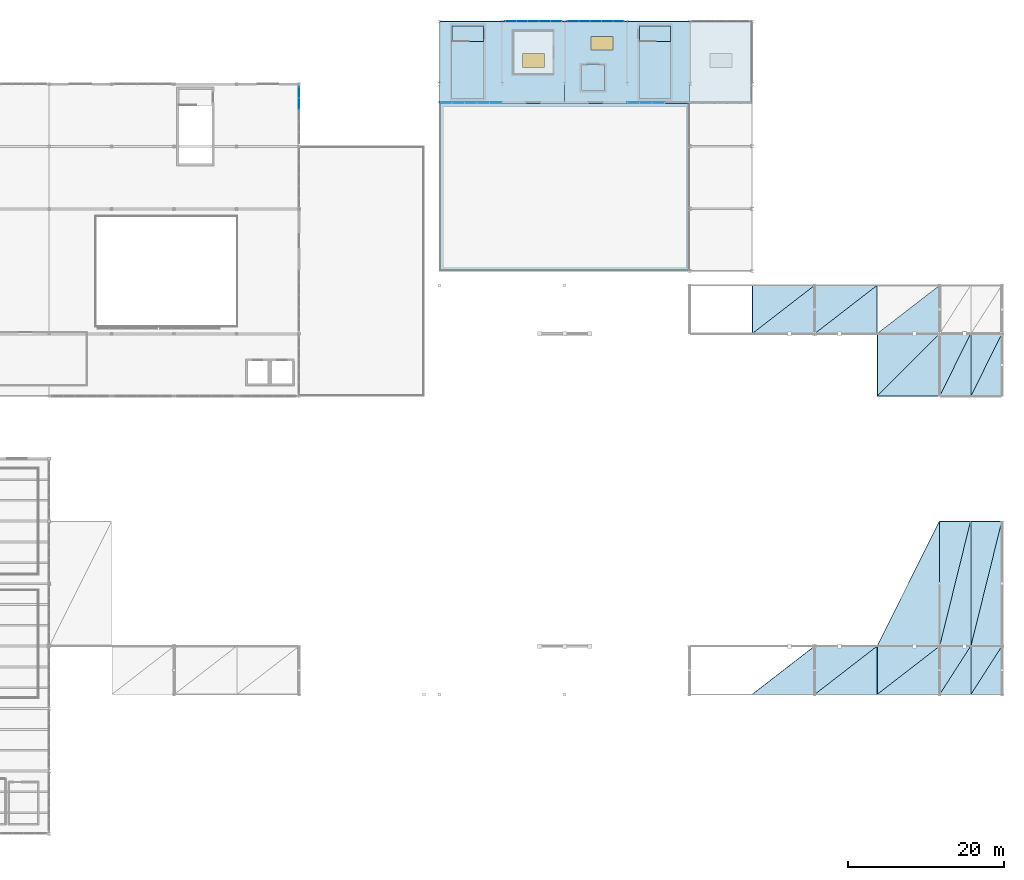
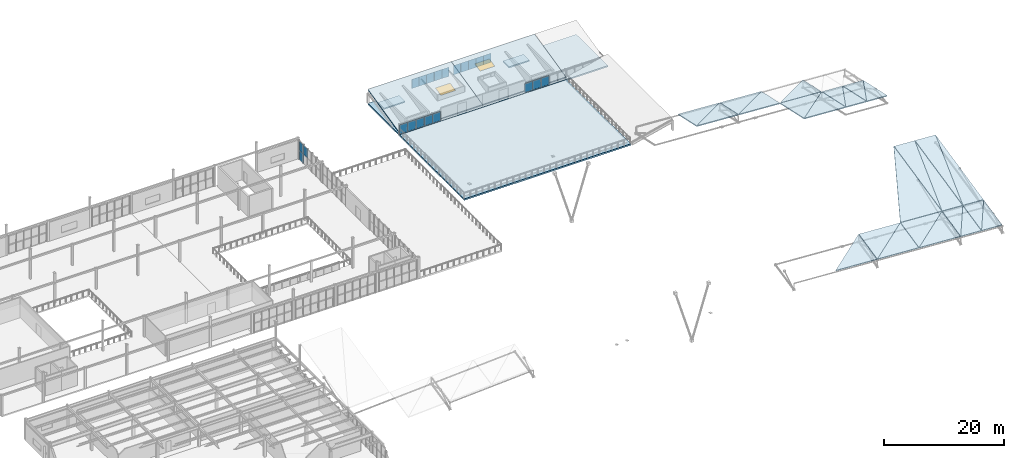
# One storey, part 50 of 83: 31 slabs, 21 plates, 2 windows, 2 openings, 5 elements without a shape of their own.
"""IFC4 building model written with IfcOpenShell, lengths in metres."""

from ifc_helpers import new_model, si_unit, direction, frame, origin, origin_2d, place, context, subcontext, project, spatial, polyline, rectangle, outline, extrude, material, layer, layer_set, type_object, element, fill, aggregate, save


model = new_model("IFC4")

# Units and contexts
model_context = context("Model", 3, precision=1e-05, world=origin(), true_north=direction((0.0, 1.0)))
body_context = subcontext(model_context, "Body", "Model", "MODEL_VIEW")
ifc_project = project(units=[si_unit("LENGTHUNIT", "METRE"), si_unit("AREAUNIT", "SQUARE_METRE"), si_unit("VOLUMEUNIT", "CUBIC_METRE"), si_unit("PLANEANGLEUNIT", "RADIAN"), si_unit("MASSUNIT", "GRAM", prefix="KILO")], contexts=[model_context])

# Site, building, storey
site_placement = place(None, origin())
site = spatial("IfcSite", under=ifc_project, at=site_placement, CompositionType="ELEMENT")
building_placement = place(site_placement, origin())
building = spatial("IfcBuilding", under=site, at=building_placement, Name="Drelvath Fold Interchange", CompositionType="ELEMENT")
storey_placement = place(building_placement, frame((0.0, 0.0, 11.199951171875)))
storey = spatial("IfcBuildingStorey", under=building, at=storey_placement, Name="L02", CompositionType="ELEMENT", Elevation=11.199951171875)

# Curtain wall, plates
ifc_material_1 = material(Name="Anodized Aluminium 6063-T6", Category="aluminium")
curtain_wall_type_1 = type_object("IfcCurtainWallType", Name="CW-CON-440", PredefinedType="USERDEFINED", material=ifc_material_1)
curtain_wall_1_placement = place(storey_placement, origin())
curtain_wall_1 = element("IfcCurtainWall", 1, at=curtain_wall_1_placement, inside=storey, type_object=curtain_wall_type_1, Name="Curtain wall CW-V1E-L02-Y91", ObjectType="UNITISED CURTAIN WALL", PredefinedType="USERDEFINED")
ifc_material_2 = material(Name="Low-Iron Insulated Laminated Glass", Category="glass")
ifc_layer_1 = layer(ifc_material_2, 0.05810546875, Name="Low-Iron Insulated Laminated Glass")
ifc_layer_set_1 = layer_set([ifc_layer_1], Name="Low-Iron Insulated Laminated Glass")
plate_type_1 = type_object("IfcPlateType", Name="CP-CON-B", PredefinedType="CURTAIN_PANEL", material=ifc_layer_set_1)
plate_1_placement = place(storey_placement, frame((84.0, 96.4560546875, 1.909912109375), z_axis=(0.0, 0.0, 1.0), x_axis=(0.0, 1.0, 0.0)))
plate_1 = element("IfcPlate", 2, at=plate_1_placement, type_object=plate_type_1, Name="CW-V1E-L02-Y91 glazed panel 3-1", PredefinedType="CURTAIN_PANEL", context=body_context, shape_type="SweptSolid", body=[
    extrude(rectangle(XDim=1.43603515625, YDim=0.05810546875, at=origin_2d()), origin(), (0.0, 0.0, 1.0), 1.85009765625),
])
plate_2_placement = place(storey_placement, frame((84.0, 97.89208984375, 0.0400390625), z_axis=(0.0, 0.0, 1.0), x_axis=(0.0, 1.0, 0.0)))
plate_2 = element("IfcPlate", 3, at=plate_2_placement, type_object=plate_type_1, Name="CW-V1E-L02-Y91 glazed panel 4-0", PredefinedType="CURTAIN_PANEL", context=body_context, shape_type="SweptSolid", body=[
    extrude(rectangle(XDim=1.39599609375, YDim=0.05810546875, at=origin_2d()), origin(), (0.0, 0.0, 1.0), 1.85009765625),
])
plate_3_placement = place(storey_placement, frame((84.0, 97.89208984375, 1.909912109375), z_axis=(0.0, 0.0, 1.0), x_axis=(0.0, 1.0, 0.0)))
plate_3 = element("IfcPlate", 4, at=plate_3_placement, type_object=plate_type_1, Name="CW-V1E-L02-Y91 glazed panel 4-1", PredefinedType="CURTAIN_PANEL", context=body_context, shape_type="SweptSolid", body=[
    extrude(rectangle(XDim=1.39599609375, YDim=0.05810546875, at=origin_2d()), origin(), (0.0, 0.0, 1.0), 1.85009765625),
])
aggregate(curtain_wall_1, [plate_1, plate_2, plate_3])

curtain_wall_type_2 = type_object("IfcCurtainWallType", Name="CW-CYC-SAW", PredefinedType="USERDEFINED", material=ifc_material_1)
curtain_wall_2_placement = place(storey_placement, origin())
curtain_wall_2 = element("IfcCurtainWall", 5, at=curtain_wall_2_placement, inside=storey, type_object=curtain_wall_type_2, Name="Curtain wall CW-CYC-L02-S102", ObjectType="UNITISED CURTAIN WALL", PredefinedType="USERDEFINED")
ifc_layer_2 = layer(ifc_material_2, 0.028076171875, Name="Low-Iron Insulated Laminated Glass")
ifc_layer_set_2 = layer_set([ifc_layer_2], Name="Low-Iron Insulated Laminated Glass")
plate_type_2 = type_object("IfcPlateType", Name="CP-CYC-A", PredefinedType="CURTAIN_PANEL", material=ifc_layer_set_2)
plate_4_placement = place(storey_placement, frame((102.820068359375, 96.60009765625, 0.0400390625), z_axis=(0.0, 0.0, 1.0), x_axis=(1.0, 0.0, 0.0)))
plate_4 = element("IfcPlate", 6, at=plate_4_placement, type_object=plate_type_2, Name="CW-CYC-L02-S102 glazed panel 0-0", PredefinedType="CURTAIN_PANEL", context=body_context, shape_type="SweptSolid", body=[
    extrude(rectangle(XDim=1.5400390625, YDim=0.028076171875, at=origin_2d()), origin(), (0.0, 0.0, 1.0), 1.8701171875),
])
plate_5_placement = place(storey_placement, frame((104.39990234375, 96.60009765625, 0.0400390625), z_axis=(0.0, 0.0, 1.0), x_axis=(1.0, 0.0, 0.0)))
plate_5 = element("IfcPlate", 7, at=plate_5_placement, type_object=plate_type_2, Name="CW-CYC-L02-S102 glazed panel 1-0", PredefinedType="CURTAIN_PANEL", context=body_context, shape_type="SweptSolid", body=[
    extrude(rectangle(XDim=1.580078125, YDim=0.028076171875, at=origin_2d()), origin(), (0.0, 0.0, 1.0), 1.8701171875),
])
plate_6_placement = place(storey_placement, frame((106.0, 96.60009765625, 0.0400390625), z_axis=(0.0, 0.0, 1.0), x_axis=(1.0, 0.0, 0.0)))
plate_6 = element("IfcPlate", 8, at=plate_6_placement, type_object=plate_type_2, Name="CW-CYC-L02-S102 glazed panel 2-0", PredefinedType="CURTAIN_PANEL", context=body_context, shape_type="SweptSolid", body=[
    extrude(rectangle(XDim=1.580078125, YDim=0.028076171875, at=origin_2d()), origin(), (0.0, 0.0, 1.0), 1.8701171875),
])
plate_7_placement = place(storey_placement, frame((107.60009765625, 96.60009765625, 0.0400390625), z_axis=(0.0, 0.0, 1.0), x_axis=(1.0, 0.0, 0.0)))
plate_7 = element("IfcPlate", 9, at=plate_7_placement, type_object=plate_type_2, Name="CW-CYC-L02-S102 glazed panel 3-0", PredefinedType="CURTAIN_PANEL", context=body_context, shape_type="SweptSolid", body=[
    extrude(rectangle(XDim=1.580078125, YDim=0.028076171875, at=origin_2d()), origin(), (0.0, 0.0, 1.0), 1.8701171875),
])
plate_8_placement = place(storey_placement, frame((109.179931640625, 96.60009765625, 0.0400390625), z_axis=(0.0, 0.0, 1.0), x_axis=(1.0, 0.0, 0.0)))
plate_8 = element("IfcPlate", 10, at=plate_8_placement, type_object=plate_type_2, Name="CW-CYC-L02-S102 glazed panel 4-0", PredefinedType="CURTAIN_PANEL", context=body_context, shape_type="SweptSolid", body=[
    extrude(rectangle(XDim=1.5400390625, YDim=0.028076171875, at=origin_2d()), origin(), (0.0, 0.0, 1.0), 1.8701171875),
])
aggregate(curtain_wall_2, [plate_4, plate_5, plate_6, plate_7, plate_8])

curtain_wall_3_placement = place(storey_placement, origin())
curtain_wall_3 = element("IfcCurtainWall", 11, at=curtain_wall_3_placement, inside=storey, type_object=curtain_wall_type_2, Name="Curtain wall CW-CYC-L02-S126", ObjectType="UNITISED CURTAIN WALL", PredefinedType="USERDEFINED")
plate_9_placement = place(storey_placement, frame((126.820068359375, 96.60009765625, 0.0400390625), z_axis=(0.0, 0.0, 1.0), x_axis=(1.0, 0.0, 0.0)))
plate_9 = element("IfcPlate", 12, at=plate_9_placement, type_object=plate_type_2, Name="CW-CYC-L02-S126 glazed panel 0-0", PredefinedType="CURTAIN_PANEL", context=body_context, shape_type="SweptSolid", body=[
    extrude(rectangle(XDim=1.5400390625, YDim=0.028076171875, at=origin_2d()), origin(), (0.0, 0.0, 1.0), 1.8701171875),
])
plate_10_placement = place(storey_placement, frame((128.39990234375, 96.60009765625, 0.0400390625), z_axis=(0.0, 0.0, 1.0), x_axis=(1.0, 0.0, 0.0)))
plate_10 = element("IfcPlate", 13, at=plate_10_placement, type_object=plate_type_2, Name="CW-CYC-L02-S126 glazed panel 1-0", PredefinedType="CURTAIN_PANEL", context=body_context, shape_type="SweptSolid", body=[
    extrude(rectangle(XDim=1.580078125, YDim=0.028076171875, at=origin_2d()), origin(), (0.0, 0.0, 1.0), 1.8701171875),
])
plate_11_placement = place(storey_placement, frame((130.0, 96.60009765625, 0.0400390625), z_axis=(0.0, 0.0, 1.0), x_axis=(1.0, 0.0, 0.0)))
plate_11 = element("IfcPlate", 14, at=plate_11_placement, type_object=plate_type_2, Name="CW-CYC-L02-S126 glazed panel 2-0", PredefinedType="CURTAIN_PANEL", context=body_context, shape_type="SweptSolid", body=[
    extrude(rectangle(XDim=1.580078125, YDim=0.028076171875, at=origin_2d()), origin(), (0.0, 0.0, 1.0), 1.8701171875),
])
aggregate(curtain_wall_3, [plate_9, plate_10, plate_11])

curtain_wall_4_placement = place(storey_placement, origin())
curtain_wall_4 = element("IfcCurtainWall", 15, at=curtain_wall_4_placement, inside=storey, type_object=curtain_wall_type_2, Name="Curtain wall CW-CYC-L02-N110", ObjectType="UNITISED CURTAIN WALL", PredefinedType="USERDEFINED")
plate_12_placement = place(storey_placement, frame((111.10791015625, 107.0, 0.0400390625), z_axis=(0.0, 0.0, 1.0), x_axis=(1.0, 0.0, 0.0)))
plate_12 = element("IfcPlate", 16, at=plate_12_placement, type_object=plate_type_2, Name="CW-CYC-L02-N110 glazed panel 0-0", PredefinedType="CURTAIN_PANEL", context=body_context, shape_type="SweptSolid", body=[
    extrude(rectangle(XDim=1.39599609375, YDim=0.028076171875, at=origin_2d()), origin(), (0.0, 0.0, 1.0), 1.8701171875),
])
plate_13_placement = place(storey_placement, frame((112.5439453125, 107.0, 0.0400390625), z_axis=(0.0, 0.0, 1.0), x_axis=(1.0, 0.0, 0.0)))
plate_13 = element("IfcPlate", 17, at=plate_13_placement, type_object=plate_type_2, Name="CW-CYC-L02-N110 glazed panel 1-0", PredefinedType="CURTAIN_PANEL", context=body_context, shape_type="SweptSolid", body=[
    extrude(rectangle(XDim=1.43603515625, YDim=0.028076171875, at=origin_2d()), origin(), (0.0, 0.0, 1.0), 1.8701171875),
])
plate_14_placement = place(storey_placement, frame((114.0, 107.0, 0.0400390625), z_axis=(0.0, 0.0, 1.0), x_axis=(1.0, 0.0, 0.0)))
plate_14 = element("IfcPlate", 18, at=plate_14_placement, type_object=plate_type_2, Name="CW-CYC-L02-N110 glazed panel 2-0", PredefinedType="CURTAIN_PANEL", context=body_context, shape_type="SweptSolid", body=[
    extrude(rectangle(XDim=1.43603515625, YDim=0.028076171875, at=origin_2d()), origin(), (0.0, 0.0, 1.0), 1.8701171875),
])
plate_15_placement = place(storey_placement, frame((115.4560546875, 107.0, 0.0400390625), z_axis=(0.0, 0.0, 1.0), x_axis=(1.0, 0.0, 0.0)))
plate_15 = element("IfcPlate", 19, at=plate_15_placement, type_object=plate_type_2, Name="CW-CYC-L02-N110 glazed panel 3-0", PredefinedType="CURTAIN_PANEL", context=body_context, shape_type="SweptSolid", body=[
    extrude(rectangle(XDim=1.43603515625, YDim=0.028076171875, at=origin_2d()), origin(), (0.0, 0.0, 1.0), 1.8701171875),
])
plate_16_placement = place(storey_placement, frame((116.89208984375, 107.0, 0.0400390625), z_axis=(0.0, 0.0, 1.0), x_axis=(1.0, 0.0, 0.0)))
plate_16 = element("IfcPlate", 20, at=plate_16_placement, type_object=plate_type_2, Name="CW-CYC-L02-N110 glazed panel 4-0", PredefinedType="CURTAIN_PANEL", context=body_context, shape_type="SweptSolid", body=[
    extrude(rectangle(XDim=1.39599609375, YDim=0.028076171875, at=origin_2d()), origin(), (0.0, 0.0, 1.0), 1.8701171875),
])
aggregate(curtain_wall_4, [plate_12, plate_13, plate_14, plate_15, plate_16])

curtain_wall_5_placement = place(storey_placement, origin())
curtain_wall_5 = element("IfcCurtainWall", 21, at=curtain_wall_5_placement, inside=storey, type_object=curtain_wall_type_2, Name="Curtain wall CW-CYC-L02-N118", ObjectType="UNITISED CURTAIN WALL", PredefinedType="USERDEFINED")
plate_17_placement = place(storey_placement, frame((119.10791015625, 107.0, 0.0400390625), z_axis=(0.0, 0.0, 1.0), x_axis=(1.0, 0.0, 0.0)))
plate_17 = element("IfcPlate", 22, at=plate_17_placement, type_object=plate_type_2, Name="CW-CYC-L02-N118 glazed panel 0-0", PredefinedType="CURTAIN_PANEL", context=body_context, shape_type="SweptSolid", body=[
    extrude(rectangle(XDim=1.39599609375, YDim=0.028076171875, at=origin_2d()), origin(), (0.0, 0.0, 1.0), 1.8701171875),
])
plate_18_placement = place(storey_placement, frame((120.5439453125, 107.0, 0.0400390625), z_axis=(0.0, 0.0, 1.0), x_axis=(1.0, 0.0, 0.0)))
plate_18 = element("IfcPlate", 23, at=plate_18_placement, type_object=plate_type_2, Name="CW-CYC-L02-N118 glazed panel 1-0", PredefinedType="CURTAIN_PANEL", context=body_context, shape_type="SweptSolid", body=[
    extrude(rectangle(XDim=1.43603515625, YDim=0.028076171875, at=origin_2d()), origin(), (0.0, 0.0, 1.0), 1.8701171875),
])
plate_19_placement = place(storey_placement, frame((122.0, 107.0, 0.0400390625), z_axis=(0.0, 0.0, 1.0), x_axis=(1.0, 0.0, 0.0)))
plate_19 = element("IfcPlate", 24, at=plate_19_placement, type_object=plate_type_2, Name="CW-CYC-L02-N118 glazed panel 2-0", PredefinedType="CURTAIN_PANEL", context=body_context, shape_type="SweptSolid", body=[
    extrude(rectangle(XDim=1.43603515625, YDim=0.028076171875, at=origin_2d()), origin(), (0.0, 0.0, 1.0), 1.8701171875),
])
plate_20_placement = place(storey_placement, frame((123.4560546875, 107.0, 0.0400390625), z_axis=(0.0, 0.0, 1.0), x_axis=(1.0, 0.0, 0.0)))
plate_20 = element("IfcPlate", 25, at=plate_20_placement, type_object=plate_type_2, Name="CW-CYC-L02-N118 glazed panel 3-0", PredefinedType="CURTAIN_PANEL", context=body_context, shape_type="SweptSolid", body=[
    extrude(rectangle(XDim=1.43603515625, YDim=0.028076171875, at=origin_2d()), origin(), (0.0, 0.0, 1.0), 1.8701171875),
])
plate_21_placement = place(storey_placement, frame((124.89208984375, 107.0, 0.0400390625), z_axis=(0.0, 0.0, 1.0), x_axis=(1.0, 0.0, 0.0)))
plate_21 = element("IfcPlate", 26, at=plate_21_placement, type_object=plate_type_2, Name="CW-CYC-L02-N118 glazed panel 4-0", PredefinedType="CURTAIN_PANEL", context=body_context, shape_type="SweptSolid", body=[
    extrude(rectangle(XDim=1.39599609375, YDim=0.028076171875, at=origin_2d()), origin(), (0.0, 0.0, 1.0), 1.8701171875),
])
aggregate(curtain_wall_5, [plate_17, plate_18, plate_19, plate_20, plate_21])

# Slabs
ifc_material_3 = material(Name="Concrete f'c 35 MPa (5000 psi)", Category="concrete")
ifc_layer_3 = layer(ifc_material_3, 0.25, Name="Concrete f'c 35 MPa (5000 psi)")
ifc_layer_set_3 = layer_set([ifc_layer_3], Name="Concrete f'c 35 MPa (5000 psi)")
slab_type_1 = type_object("IfcSlabType", Name="FS-UP2", PredefinedType="FLOOR", material=ifc_layer_set_3)
slab_1_placement = place(storey_placement, frame((0.0, 0.0, -0.25)))
element("IfcSlab", 27, at=slab_1_placement, inside=storey, type_object=slab_type_1, Name="L02 structural slab SL-L02-V3N", PredefinedType="FLOOR", context=body_context, shape_type="SweptSolid", body=[
    extrude(outline(polyline([(102.0, 96.5), (142.0, 96.5), (142.0, 107.0), (102.0, 107.0), (102.0, 96.5)]), holes=[polyline([(103.60009765625, 97.14990234375), (103.60009765625, 106.39990234375), (107.6201171875, 106.39990234375), (107.6201171875, 97.14990234375), (103.60009765625, 97.14990234375)]), polyline([(127.60009765625, 97.199951171875), (127.60009765625, 106.39990234375), (131.5400390625, 106.39990234375), (131.5400390625, 97.199951171875), (127.60009765625, 97.199951171875)]), polyline([(120.199951171875, 98.199951171875), (120.199951171875, 101.39990234375), (123.10009765625, 101.39990234375), (123.10009765625, 98.199951171875), (120.199951171875, 98.199951171875)])]), origin(), (0.0, 0.0, 1.0), 0.25),
])
slab_2_placement = place(storey_placement, frame((0.0, 0.0, -0.25)))
element("IfcSlab", 28, at=slab_2_placement, inside=storey, type_object=slab_type_1, Name="ST-07 L02 stair floor landing slab", PredefinedType="FLOOR", context=body_context, shape_type="SweptSolid", body=[
    extrude(outline(polyline([(103.60009765625, 104.39990234375), (107.6201171875, 104.39990234375), (107.6201171875, 106.39990234375), (103.60009765625, 106.39990234375), (103.60009765625, 104.39990234375)])), origin(), (0.0, 0.0, 1.0), 0.25),
])
slab_3_placement = place(storey_placement, frame((0.0, 0.0, -0.25)))
element("IfcSlab", 29, at=slab_3_placement, inside=storey, type_object=slab_type_1, Name="ST-08 L02 stair floor landing slab", PredefinedType="FLOOR", context=body_context, shape_type="SweptSolid", body=[
    extrude(outline(polyline([(127.60009765625, 104.39990234375), (131.5400390625, 104.39990234375), (131.5400390625, 106.39990234375), (127.60009765625, 106.39990234375), (127.60009765625, 104.39990234375)])), origin(), (0.0, 0.0, 1.0), 0.25),
])
ifc_layer_4 = layer(ifc_material_3, 0.169921875, Name="Concrete f'c 35 MPa (5000 psi)")
ifc_layer_set_4 = layer_set([ifc_layer_4], Name="Concrete f'c 35 MPa (5000 psi)")
slab_type_2 = type_object("IfcSlabType", Name="RF-SF1", PredefinedType="ROOF", material=ifc_layer_set_4)
slab_4_placement = place(storey_placement, frame((142.030029296875, 20.830078125, 4.3271484375), z_axis=(0.058721606435, -0.21268615069, 0.975354486452), x_axis=(0.998192566997, 0.0, -0.060096582196)))
element("IfcSlab", 30, at=slab_4_placement, inside=storey, type_object=slab_type_2, Name="Space frame canopy sloped roof facet 107", PredefinedType="ROOF", context=body_context, shape_type="SweptSolid", body=[
    extrude(outline(polyline([(0.0, 0.0), (7.954318303667255, 1.3877787807814457e-17), (7.873856961684047, 6.28365914011294), (0.0, 0.0)])), origin(), (0.0, 0.0, -1.0), 0.169921875),
])
slab_5_placement = place(storey_placement, frame((142.030029296875, 67.030029296875, 5.6650390625), z_axis=(0.058602056406, 0.212687647419, 0.97536135028), x_axis=(0.99819992436, 0.0, -0.059974252881)))
element("IfcSlab", 31, at=slab_5_placement, inside=storey, type_object=slab_type_2, Name="Space frame canopy sloped roof facet 117", PredefinedType="ROOF", context=body_context, shape_type="SweptSolid", body=[
    extrude(outline(polyline([(0.0, 0.0), (7.954259675329594, -1.3877787807814457e-17), (8.0345572346069, 6.283661235191848), (0.0, 0.0)])), origin(), (0.0, 0.0, -1.0), 0.169921875),
])
slab_6_placement = place(storey_placement, frame((142.030029296875, 67.030029296875, 5.6650390625), z_axis=(0.058723543311, 0.212538028694, 0.975386657598), x_axis=(0.778431207908, 0.601954567606, -0.178032449555)))
element("IfcSlab", 32, at=slab_6_placement, inside=storey, type_object=slab_type_2, Name="Space frame canopy sloped roof facet 118", PredefinedType="ROOF", context=body_context, shape_type="SweptSolid", body=[
    extrude(outline(polyline([(0.0, 0.0), (10.19992688575888, -2.7755575615628914e-16), (3.9341243272145876, 4.900091629081616), (0.0, 0.0)])), origin(), (0.0, 0.0, -1.0), 0.169921875),
])
slab_7_placement = place(storey_placement, frame((150.030029296875, 20.830078125, 3.845947265625), z_axis=(0.058691719164, -0.212686525156, 0.975356203711), x_axis=(0.998194407733, 0.0, -0.060066000121)))
element("IfcSlab", 33, at=slab_7_placement, inside=storey, type_object=slab_type_2, Name="Space frame canopy sloped roof facet 119", PredefinedType="ROOF", context=body_context, shape_type="SweptSolid", body=[
    extrude(outline(polyline([(0.0, 0.0), (7.954303635383277, -1.3877787807814457e-17), (7.873883238736967, 6.283659664278602), (0.0, 0.0)])), origin(), (0.0, 0.0, -1.0), 0.169921875),
])
slab_8_placement = place(storey_placement, frame((150.030029296875, 20.830078125, 3.845947265625), z_axis=(0.058603506241, -0.212576556588, 0.975385481051), x_axis=(0.788173626224, 0.609488301024, 0.085477165602)))
element("IfcSlab", 34, at=slab_8_placement, inside=storey, type_object=slab_type_2, Name="Space frame canopy sloped roof facet 120", PredefinedType="ROOF", context=body_context, shape_type="SweptSolid", body=[
    extrude(outline(polyline([(0.0, 0.0), (10.073848124413272, -5.828670879282072e-16), (3.8565726628712995, 4.961424474672824), (0.0, 0.0)])), origin(), (0.0, 0.0, -1.0), 0.169921875),
])
slab_9_placement = place(storey_placement, frame((150.030029296875, 67.030029296875, 5.18408203125), z_axis=(0.058602056406, 0.212687647419, 0.97536135028), x_axis=(0.99819992436, 0.0, -0.059974252881)))
element("IfcSlab", 35, at=slab_9_placement, inside=storey, type_object=slab_type_2, Name="Space frame canopy sloped roof facet 129", PredefinedType="ROOF", context=body_context, shape_type="SweptSolid", body=[
    extrude(outline(polyline([(0.0, 0.0), (7.954259675329594, -1.3877787807814457e-17), (8.0345572346069, 6.283661235191848), (0.0, 0.0)])), origin(), (0.0, 0.0, -1.0), 0.169921875),
])
slab_10_placement = place(storey_placement, frame((150.030029296875, 67.030029296875, 5.18408203125), z_axis=(0.058693171202, 0.212575434856, 0.9753803341), x_axis=(0.778431207908, 0.601954567606, -0.178032449555)))
element("IfcSlab", 36, at=slab_10_placement, inside=storey, type_object=slab_type_2, Name="Space frame canopy sloped roof facet 130", PredefinedType="ROOF", context=body_context, shape_type="SweptSolid", body=[
    extrude(outline(polyline([(0.0, 0.0), (10.19992688575888, 2.498001805406602e-16), (3.934167792168092, 4.900123396911141), (0.0, 0.0)])), origin(), (0.0, 0.0, -1.0), 0.169921875),
])
slab_11_placement = place(storey_placement, frame((158.030029296875, 20.830078125, 3.364013671875), z_axis=(0.058603506241, -0.212576556588, 0.975385481051), x_axis=(0.99819992436, 0.0, -0.059974252881)))
element("IfcSlab", 37, at=slab_11_placement, inside=storey, type_object=slab_type_2, Name="Space frame canopy sloped roof facet 131", PredefinedType="ROOF", context=body_context, shape_type="SweptSolid", body=[
    extrude(outline(polyline([(0.0, 0.0), (7.954259675329594, 1.3877787807814457e-17), (7.874006042507035, 6.283505779125815), (0.0, 0.0)])), origin(), (0.0, 0.0, -1.0), 0.169921875),
])
slab_12_placement = place(storey_placement, frame((158.030029296875, 20.830078125, 3.364013671875), z_axis=(0.058721122025, -0.212723178899, 0.975346440496), x_axis=(0.788173626224, 0.609488301024, 0.085477165602)))
element("IfcSlab", 38, at=slab_12_placement, inside=storey, type_object=slab_type_2, Name="Space frame canopy sloped roof facet 132", PredefinedType="ROOF", context=body_context, shape_type="SweptSolid", body=[
    extrude(outline(polyline([(0.0, 0.0), (10.073848124413272, 3.0531133177191805e-16), (3.856656136665832, 4.961623067459371), (0.0, 0.0)])), origin(), (0.0, 0.0, -1.0), 0.169921875),
])
slab_13_placement = place(storey_placement, frame((158.030029296875, 27.030029296875, 4.716064453125), z_axis=(0.058603389463, -0.212585506775, 0.975383537411), x_axis=(0.99819992436, 0.0, -0.059974252881)))
element("IfcSlab", 39, at=slab_13_placement, inside=storey, type_object=slab_type_2, Name="Space frame canopy sloped roof facet 133", PredefinedType="ROOF", context=body_context, shape_type="SweptSolid", body=[
    extrude(outline(polyline([(0.0, 0.0), (7.954259675329594, -1.3877787807814457e-17), (7.745901858313536, 16.312812033147758), (0.0, 0.0)])), origin(), (0.0, 0.0, -1.0), 0.169921875),
])
slab_14_placement = place(storey_placement, frame((158.030029296875, 59.030029296875, 6.447021484375), z_axis=(0.058723762787, 0.212521237543, 0.975390303046), x_axis=(0.998192566997, 0.0, -0.060096582196)))
element("IfcSlab", 40, at=slab_14_placement, inside=storey, type_object=slab_type_2, Name="Space frame canopy sloped roof facet 139", PredefinedType="ROOF", context=body_context, shape_type="SweptSolid", body=[
    extrude(outline(polyline([(0.0, 0.0), (7.954318303667255, -1.3877787807814457e-17), (8.058284217105076, 8.125558014424778), (0.0, 0.0)])), origin(), (0.0, 0.0, -1.0), 0.169921875),
])
slab_15_placement = place(storey_placement, frame((158.030029296875, 59.030029296875, 6.447021484375), z_axis=(0.05860271387, 0.212637278064, 0.975372292976), x_axis=(0.693820147809, 0.693820147809, -0.192943527975)))
element("IfcSlab", 41, at=slab_15_placement, inside=storey, type_object=slab_type_2, Name="Space frame canopy sloped roof facet 140", PredefinedType="ROOF", context=body_context, shape_type="SweptSolid", body=[
    extrude(outline(polyline([(0.0, 0.0), (11.443803457305071, -3.3306690738754696e-16), (5.842868276464715, 5.6479883217477775), (0.0, 0.0)])), origin(), (0.0, 0.0, -1.0), 0.169921875),
])
slab_16_placement = place(storey_placement, frame((158.030029296875, 67.030029296875, 4.703125), z_axis=(0.058723059207, 0.212575060567, 0.975378616714), x_axis=(0.998192566997, 0.0, -0.060096582196)))
element("IfcSlab", 42, at=slab_16_placement, inside=storey, type_object=slab_type_2, Name="Space frame canopy sloped roof facet 141", PredefinedType="ROOF", context=body_context, shape_type="SweptSolid", body=[
    extrude(outline(polyline([(0.0, 0.0), (7.954318303667255, -1.3877787807814457e-17), (8.03473562959905, 6.283503686286712), (0.0, 0.0)])), origin(), (0.0, 0.0, -1.0), 0.169921875),
])
slab_17_placement = place(storey_placement, frame((166.030029296875, 20.830078125, 2.883056640625), z_axis=(0.058685301282, -0.212723627759, 0.975348498541), x_axis=(0.998194773078, 0.0, -0.060059928409)))
element("IfcSlab", 43, at=slab_17_placement, inside=storey, type_object=slab_type_2, Name="Space frame canopy sloped roof facet 143", PredefinedType="ROOF", context=body_context, shape_type="SweptSolid", body=[
    extrude(outline(polyline([(0.0, 0.0), (3.947066757424797, 0.0), (3.8666398269264297, 6.283711604527835), (0.0, 0.0)])), origin(), (0.0, 0.0, -1.0), 0.169921875),
])
slab_18_placement = place(storey_placement, frame((166.030029296875, 20.830078125, 2.883056640625), z_axis=(0.058685301282, -0.212723627759, 0.975348498541), x_axis=(0.534006962422, 0.832181255295, 0.149368411722)))
element("IfcSlab", 44, at=slab_18_placement, inside=storey, type_object=slab_type_2, Name="Space frame canopy sloped roof facet 144", PredefinedType="ROOF", context=body_context, shape_type="SweptSolid", body=[
    extrude(outline(polyline([(0.0, 0.0), (7.378071230345463, -3.885780586188048e-16), (5.309524445241916, 3.361614223168042), (0.0, 0.0)])), origin(), (0.0, 0.0, -1.0), 0.169921875),
])
slab_19_placement = place(storey_placement, frame((166.030029296875, 27.030029296875, 4.235107421875), z_axis=(0.058686374733, -0.21264151437, 0.975366339273), x_axis=(0.998194773078, 0.0, -0.060059928409)))
element("IfcSlab", 45, at=slab_19_placement, inside=storey, type_object=slab_type_2, Name="Space frame canopy sloped roof facet 145", PredefinedType="ROOF", context=body_context, shape_type="SweptSolid", body=[
    extrude(outline(polyline([(0.0, 0.0), (3.947066757424797, -6.938893903907228e-18), (3.738352640977439, 16.31301548374037), (0.0, 0.0)])), origin(), (0.0, 0.0, -1.0), 0.169921875),
])
slab_20_placement = place(storey_placement, frame((166.030029296875, 27.030029296875, 4.235107421875), z_axis=(0.058626329691, -0.212628004603, 0.975372895423), x_axis=(0.235418805397, 0.952441058644, 0.193478722022)))
element("IfcSlab", 46, at=slab_20_placement, inside=storey, type_object=slab_type_2, Name="Space frame canopy sloped roof facet 146", PredefinedType="ROOF", context=body_context, shape_type="SweptSolid", body=[
    extrude(outline(polyline([(0.0, 0.0), (16.73588224866129, 4.996003610813204e-16), (15.85416488510149, 3.8473100714329687), (0.0, 0.0)])), origin(), (0.0, 0.0, -1.0), 0.169921875),
])
slab_21_placement = place(storey_placement, frame((166.030029296875, 59.030029296875, 5.966064453125), z_axis=(0.058686443795, 0.212636230349, 0.975367487083), x_axis=(0.998194773078, 0.0, -0.060059928409)))
element("IfcSlab", 47, at=slab_21_placement, inside=storey, type_object=slab_type_2, Name="Space frame canopy sloped roof facet 151", PredefinedType="ROOF", context=body_context, shape_type="SweptSolid", body=[
    extrude(outline(polyline([(0.0, 0.0), (3.947066757424797, 6.938893903907228e-18), (4.0510279128000795, 8.1257660473884), (0.0, 0.0)])), origin(), (0.0, 0.0, -1.0), 0.169921875),
])
slab_22_placement = place(storey_placement, frame((166.030029296875, 59.030029296875, 5.966064453125), z_axis=(0.058686443795, 0.212636230349, 0.975367487083), x_axis=(0.433933986683, 0.874482656767, -0.216751881686)))
element("IfcSlab", 48, at=slab_22_placement, inside=storey, type_object=slab_type_2, Name="Space frame canopy sloped roof facet 152", PredefinedType="ROOF", context=body_context, shape_type="SweptSolid", body=[
    extrude(outline(polyline([(0.0, 0.0), (9.079587050476219, -2.498001805406602e-16), (7.318529249155342, 3.532422880683283), (0.0, 0.0)])), origin(), (0.0, 0.0, -1.0), 0.169921875),
])
slab_23_placement = place(storey_placement, frame((170.030029296875, 20.830078125, 2.64306640625), z_axis=(0.05868723729, -0.212575509144, 0.975380674963), x_axis=(0.998194773078, 0.0, -0.060059928409)))
element("IfcSlab", 49, at=slab_23_placement, inside=storey, type_object=slab_type_2, Name="Space frame canopy sloped roof facet 155", PredefinedType="ROOF", context=body_context, shape_type="SweptSolid", body=[
    extrude(outline(polyline([(0.0, 0.0), (3.947066757424797, 0.0), (3.8666984792002665, 6.283504313815974), (0.0, 0.0)])), origin(), (0.0, 0.0, -1.0), 0.169921875),
])
slab_24_placement = place(storey_placement, frame((170.030029296875, 20.830078125, 2.64306640625), z_axis=(0.058627488458, -0.212539230715, 0.975392173951), x_axis=(0.534017515601, 0.832197701068, 0.149239000828)))
element("IfcSlab", 50, at=slab_24_placement, inside=storey, type_object=slab_type_2, Name="Space frame canopy sloped roof facet 156", PredefinedType="ROOF", context=body_context, shape_type="SweptSolid", body=[
    extrude(outline(polyline([(0.0, 0.0), (7.37792542594418, 6.938893903907228e-16), (5.309269948414582, 3.361530129307067), (0.0, 0.0)])), origin(), (0.0, 0.0, -1.0), 0.169921875),
])
slab_25_placement = place(storey_placement, frame((170.030029296875, 27.030029296875, 3.994140625), z_axis=(0.058686561153, -0.212627250804, 0.975369437575), x_axis=(0.998194773078, 0.0, -0.060059928409)))
element("IfcSlab", 51, at=slab_25_placement, inside=storey, type_object=slab_type_2, Name="Space frame canopy sloped roof facet 157", PredefinedType="ROOF", context=body_context, shape_type="SweptSolid", body=[
    extrude(outline(polyline([(0.0, 0.0), (3.947066757424797, 0.0), (3.738367304045898, 16.312963664763494), (0.0, 0.0)])), origin(), (0.0, 0.0, -1.0), 0.169921875),
])
slab_26_placement = place(storey_placement, frame((170.030029296875, 27.030029296875, 3.994140625), z_axis=(0.058686561153, -0.212627250804, 0.975369437575), x_axis=(0.23541946983, 0.952443746761, 0.193464680189)))
element("IfcSlab", 52, at=slab_26_placement, inside=storey, type_object=slab_type_2, Name="Space frame canopy sloped roof facet 158", PredefinedType="ROOF", context=body_context, shape_type="SweptSolid", body=[
    extrude(outline(polyline([(0.0, 0.0), (16.73583501435926, -1.6653345369377348e-16), (15.854158940223545, 3.847334569265394), (0.0, 0.0)])), origin(), (0.0, 0.0, -1.0), 0.169921875),
])
slab_27_placement = place(storey_placement, frame((170.030029296875, 59.030029296875, 5.72509765625), z_axis=(0.058686443795, 0.212636230349, 0.975367487083), x_axis=(0.998194773078, 0.0, -0.060059928409)))
element("IfcSlab", 53, at=slab_27_placement, inside=storey, type_object=slab_type_2, Name="Space frame canopy sloped roof facet 163", PredefinedType="ROOF", context=body_context, shape_type="SweptSolid", body=[
    extrude(outline(polyline([(0.0, 0.0), (3.947066757424797, 6.938893903907228e-18), (4.0510279128000795, 8.1257660473884), (0.0, 0.0)])), origin(), (0.0, 0.0, -1.0), 0.169921875),
])
slab_28_placement = place(storey_placement, frame((170.030029296875, 59.030029296875, 5.72509765625), z_axis=(0.058686443795, 0.212636230349, 0.975367487083), x_axis=(0.433933986683, 0.874482656767, -0.216751881686)))
element("IfcSlab", 54, at=slab_28_placement, inside=storey, type_object=slab_type_2, Name="Space frame canopy sloped roof facet 164", PredefinedType="ROOF", context=body_context, shape_type="SweptSolid", body=[
    extrude(outline(polyline([(0.0, 0.0), (9.079587050476219, -2.498001805406602e-16), (7.318529249155342, 3.532422880683283), (0.0, 0.0)])), origin(), (0.0, 0.0, -1.0), 0.169921875),
])

# Slab, opening, window
ifc_layer_5 = layer(ifc_material_3, 0.159912109375, Name="Concrete f'c 35 MPa (5000 psi)")
ifc_layer_set_5 = layer_set([ifc_layer_5], Name="Concrete f'c 35 MPa (5000 psi)")
slab_type_3 = type_object("IfcSlabType", Name="RF-SW1", PredefinedType="ROOF", material=ifc_layer_set_5)
slab_29_placement = place(storey_placement, frame((102.0, 96.60009765625, 0.449951171875), z_axis=(0.0, -0.224961408439, 0.974367674296), x_axis=(1.0, 0.0, 0.0)))
slab_29 = element("IfcSlab", 55, at=slab_29_placement, inside=storey, type_object=slab_type_3, Name="Cycle hub sawtooth roof 1", PredefinedType="ROOF", context=body_context, shape_type="SweptSolid", body=[
    extrude(outline(polyline([(0.0, 0.0), (16.0, 0.0), (16.0, 10.673488682046326), (0.0, 10.673488682046326), (0.0, 0.0)])), origin(), (0.0, 0.0, -1.0), 0.159912109375),
])
opening_1_placement = place(slab_29_placement, frame((12.0, 5.5419921875, 0.010009765625)))
opening_1 = element("IfcOpeningElement", 56, at=opening_1_placement, cuts=slab_29, Name="Opening SK-21", PredefinedType="OPENING", context=body_context, shape_type="SweptSolid", body=[
    extrude(rectangle(XDim=2.800048828125, YDim=1.800048828125, at=origin_2d()), origin(), (0.0, 0.0, -1.0), 0.179931640625),
])
ifc_material_4 = material(Name="Fritted Laminated Skylight Glass", Category="glass")
window_type = type_object("IfcWindowType", Name="SK-280x180", PartitioningType="SINGLE_PANEL", PredefinedType="SKYLIGHT", material=ifc_material_4)
window_1_placement = place(slab_29_placement, frame((12.0, 5.5419921875, 0.0)))
window_1 = element("IfcWindow", 57, at=window_1_placement, inside=storey, type_object=window_type, Name="Roof skylight SK-21", OverallHeight=1.800048828125, OverallWidth=2.800048828125, PartitioningType="SINGLE_PANEL", PredefinedType="SKYLIGHT", context=body_context, shape_type="SweptSolid", body=[
    extrude(rectangle(XDim=2.800048828125, YDim=1.800048828125, at=origin_2d()), origin(), (0.0, 0.0, -1.0), 0.050048828125),
])
fill(opening_1, window_1)

slab_30_placement = place(storey_placement, frame((118.0, 96.60009765625, 0.449951171875), z_axis=(0.0, -0.224961408439, 0.974367674296), x_axis=(1.0, 0.0, 0.0)))
slab_30 = element("IfcSlab", 58, at=slab_30_placement, inside=storey, type_object=slab_type_3, Name="Cycle hub sawtooth roof 2", PredefinedType="ROOF", context=body_context, shape_type="SweptSolid", body=[
    extrude(outline(polyline([(0.0, 0.0), (16.0, 0.0), (16.0, 10.673488682046326), (0.0, 10.673488682046326), (0.0, 0.0)])), origin(), (0.0, 0.0, -1.0), 0.159912109375),
])
opening_2_placement = place(slab_30_placement, frame((4.800048828125, 7.7998046875, 0.010009765625)))
opening_2 = element("IfcOpeningElement", 59, at=opening_2_placement, cuts=slab_30, Name="Opening SK-22", PredefinedType="OPENING", context=body_context, shape_type="SweptSolid", body=[
    extrude(rectangle(XDim=2.800048828125, YDim=1.800048828125, at=origin_2d()), origin(), (0.0, 0.0, -1.0), 0.179931640625),
])
window_2_placement = place(slab_30_placement, frame((4.800048828125, 7.7998046875, 0.0)))
window_2 = element("IfcWindow", 60, at=window_2_placement, inside=storey, type_object=window_type, Name="Roof skylight SK-22", OverallHeight=1.800048828125, OverallWidth=2.800048828125, PartitioningType="SINGLE_PANEL", PredefinedType="SKYLIGHT", context=body_context, shape_type="SweptSolid", body=[
    extrude(rectangle(XDim=2.800048828125, YDim=1.800048828125, at=origin_2d()), origin(), (0.0, 0.0, -1.0), 0.050048828125),
])
fill(opening_2, window_2)

# Slab
ifc_layer_6 = layer(ifc_material_3, 0.31005859375, Name="Concrete f'c 35 MPa (5000 psi)")
ifc_layer_set_6 = layer_set([ifc_layer_6], Name="Concrete f'c 35 MPa (5000 psi)")
slab_type_4 = type_object("IfcSlabType", Name="TR-02", PredefinedType="FLOOR", material=ifc_layer_set_6)
slab_31_placement = place(storey_placement, frame((0.0, 0.0, -0.31005859375)))
element("IfcSlab", 61, at=slab_31_placement, inside=storey, type_object=slab_type_4, Name="Cycle Hub Planted Roof Garden", PredefinedType="FLOOR", context=body_context, shape_type="SweptSolid", body=[
    extrude(outline(polyline([(102.0, 75.0), (134.0, 75.0), (134.0, 96.5), (102.0, 96.5), (102.0, 75.0)])), origin(), (0.0, 0.0, 1.0), 0.31005859375),
])

save(model, "model.ifc")
